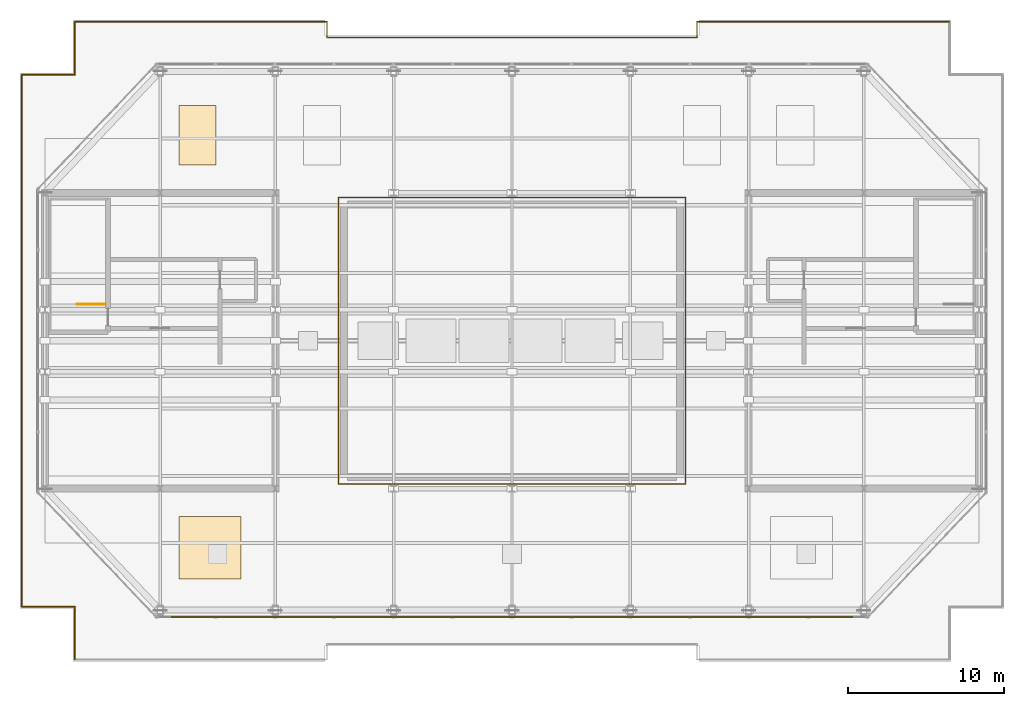
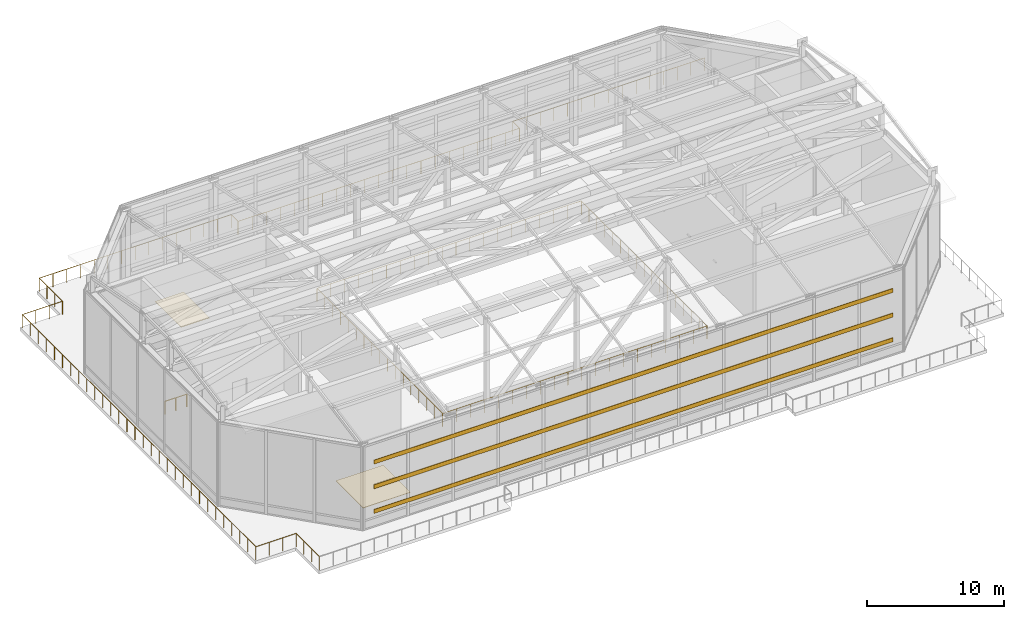
# One storey, part 24 of 25: 4 railings, 3 shading devices, 2 coverings.
"""IFC4 building model written with IfcOpenShell, lengths in metres."""

from ifc_helpers import new_model, si_unit, direction, frame, origin, origin_2d, place, context, subcontext, project, spatial, polyline, rectangle, circle, outline, extrude, source, transform, mapped, material, layer, layer_set, material_profile, profile_set, type_object, type_shapes, element, save


model = new_model("IFC4")

# Units and contexts
model_context = context("Model", 3, precision=1e-05, world=origin(), true_north=direction((0.0, 1.0)))
body_context = subcontext(model_context, "Body", "Model", "MODEL_VIEW")
ifc_project = project(units=[si_unit("LENGTHUNIT", "METRE"), si_unit("AREAUNIT", "SQUARE_METRE"), si_unit("VOLUMEUNIT", "CUBIC_METRE"), si_unit("PLANEANGLEUNIT", "RADIAN"), si_unit("MASSUNIT", "GRAM", prefix="KILO")], contexts=[model_context])

# Site, building, storey
site_placement = place(None, origin())
site = spatial("IfcSite", under=ifc_project, at=site_placement, CompositionType="ELEMENT")
building_placement = place(site_placement, origin())
building = spatial("IfcBuilding", under=site, at=building_placement, Name="Haelvirn Gate Laboratories", CompositionType="ELEMENT")
storey_placement = place(building_placement, frame((0.0, 0.0, 337.800048828125)))
storey = spatial("IfcBuildingStorey", under=building, at=storey_placement, Name="RF", CompositionType="ELEMENT", Elevation=337.800048828125)

# Coverings
ifc_material_1 = material(Name="Standing-seam bronze-patinated zinc & TPO roofing membrane", Category="aluminium")
ifc_layer = layer(ifc_material_1, 0.034912109375, Name="COV-ROOF-MEM")
ifc_layer_set = layer_set([ifc_layer], Name="Standing-seam bronze-patinated zinc & TPO roofing membrane")
covering_type = type_object("IfcCoveringType", Name="COV-ROOF-MEM", PredefinedType="ROOFING", material=ifc_layer_set)
covering_1_placement = place(storey_placement, origin())
element("IfcCovering", 1, at=covering_1_placement, inside=storey, type_object=covering_type, Name="RF Standing-Seam Bronze Roofing Panel 1", PredefinedType="ROOFING", context=body_context, shape_type="SweptSolid", body=[
    extrude(outline(polyline([(16.0, 35.60009765625), (18.39990234375, 35.60009765625), (18.39990234375, 39.39990234375), (16.0, 39.39990234375), (16.0, 35.60009765625)])), origin(), (0.0, 0.0, 1.0), 0.034912109375),
])
covering_2_placement = place(storey_placement, origin())
element("IfcCovering", 2, at=covering_2_placement, inside=storey, type_object=covering_type, Name="RF Crown Deck Waterproof Membrane 1", PredefinedType="ROOFING", context=body_context, shape_type="SweptSolid", body=[
    extrude(outline(polyline([(16.0, 9.0), (20.0, 9.0), (20.0, 13.0), (16.0, 13.0), (16.0, 9.0)])), origin(), (0.0, 0.0, 1.0), 0.034912109375),
])

# Railing
ifc_material_2 = material(Name="Galvanised & bronze-coated steel SM355", Category="steel")
railing_type_1 = type_object("IfcRailingType", Name="RLG-ROOF-1200", PredefinedType="GUARDRAIL", material=ifc_material_2)
shared_shape_1 = source(origin(), body_context, "Body", "SweptSolid", [
    extrude(circle(Radius=0.02392578125, at=origin_2d()), frame((0.0, 0.0, 1.17578125), z_axis=(-1.0, 0.0, 0.0), x_axis=(0.0, -1.0, 0.0)), (0.0, 0.0, 1.0), 16.199951171875),
    extrude(circle(Radius=0.02392578125, at=origin_2d()), frame((-16.199951171875, 0.0, 1.17578125), z_axis=(0.0, -1.0, 0.0), x_axis=(1.0, 0.0, 0.0)), (0.0, 0.0, 1.0), 1.0),
    extrude(circle(Radius=0.02392578125, at=origin_2d()), frame((-16.199951171875, -1.0, 1.17578125), z_axis=(-1.0, 0.0, 0.0), x_axis=(0.0, -1.0, 0.0)), (0.0, 0.0, 1.0), 23.760009765625),
    extrude(circle(Radius=0.02392578125, at=origin_2d()), frame((-39.9599609375, -1.0, 1.17578125), z_axis=(0.0, 1.0, 0.0), x_axis=(-1.0, 0.0, 0.0)), (0.0, 0.0, 1.0), 1.0),
    extrude(circle(Radius=0.02392578125, at=origin_2d()), frame((-39.9599609375, 0.0, 1.17578125), z_axis=(-1.0, 0.0, 0.0), x_axis=(0.0, -1.0, 0.0)), (0.0, 0.0, 1.0), 16.199951171875),
    extrude(circle(Radius=0.02392578125, at=origin_2d()), frame((-56.159912109375, 0.0, 1.17578125), z_axis=(0.0, -1.0, 0.0), x_axis=(1.0, 0.0, 0.0)), (0.0, 0.0, 1.0), 3.400146484375),
    extrude(circle(Radius=0.02392578125, at=origin_2d()), frame((-56.159912109375, -3.400146484375, 1.17578125), z_axis=(-1.0, 0.0, 0.0), x_axis=(0.0, -1.0, 0.0)), (0.0, 0.0, 1.0), 3.400146484375),
    extrude(circle(Radius=0.02392578125, at=origin_2d()), frame((-59.56005859375, -3.400146484375, 1.17578125), z_axis=(0.0, -1.0, 0.0), x_axis=(1.0, 0.0, 0.0)), (0.0, 0.0, 1.0), 34.159912109375),
    extrude(circle(Radius=0.02392578125, at=origin_2d()), frame((-59.56005859375, -37.56005859375, 1.17578125), z_axis=(1.0, 0.0, 0.0), x_axis=(0.0, 1.0, 0.0)), (0.0, 0.0, 1.0), 3.400146484375),
    extrude(circle(Radius=0.02392578125, at=origin_2d()), frame((-56.159912109375, -37.56005859375, 1.17578125), z_axis=(0.0, -1.0, 0.0), x_axis=(1.0, 0.0, 0.0)), (0.0, 0.0, 1.0), 3.39990234375),
    extrude(circle(Radius=0.02099609375, at=origin_2d()), origin(), (0.0, 0.0, 1.0), 1.15185546875),
    extrude(circle(Radius=0.02099609375, at=origin_2d()), frame((-1.1572265625, 0.0, 0.0)), (0.0, 0.0, 1.0), 1.15185546875),
    extrude(circle(Radius=0.02099609375, at=origin_2d()), frame((-2.314208984375, 0.0, 0.0)), (0.0, 0.0, 1.0), 1.15185546875),
    extrude(circle(Radius=0.02099609375, at=origin_2d()), frame((-3.471435546875, 0.0, 0.0)), (0.0, 0.0, 1.0), 1.15185546875),
    extrude(circle(Radius=0.02099609375, at=origin_2d()), frame((-4.628662109375, 0.0, 0.0)), (0.0, 0.0, 1.0), 1.15185546875),
    extrude(circle(Radius=0.02099609375, at=origin_2d()), frame((-5.78564453125, 0.0, 0.0)), (0.0, 0.0, 1.0), 1.15185546875),
    extrude(circle(Radius=0.02099609375, at=origin_2d()), frame((-6.94287109375, 0.0, 0.0)), (0.0, 0.0, 1.0), 1.15185546875),
    extrude(circle(Radius=0.02099609375, at=origin_2d()), frame((-8.10009765625, 0.0, 0.0)), (0.0, 0.0, 1.0), 1.15185546875),
    extrude(circle(Radius=0.02099609375, at=origin_2d()), frame((-9.257080078125, 0.0, 0.0)), (0.0, 0.0, 1.0), 1.15185546875),
    extrude(circle(Radius=0.02099609375, at=origin_2d()), frame((-10.414306640625, 0.0, 0.0)), (0.0, 0.0, 1.0), 1.15185546875),
    extrude(circle(Radius=0.02099609375, at=origin_2d()), frame((-11.5712890625, 0.0, 0.0)), (0.0, 0.0, 1.0), 1.15185546875),
    extrude(circle(Radius=0.02099609375, at=origin_2d()), frame((-12.728515625, 0.0, 0.0)), (0.0, 0.0, 1.0), 1.15185546875),
    extrude(circle(Radius=0.02099609375, at=origin_2d()), frame((-13.8857421875, 0.0, 0.0)), (0.0, 0.0, 1.0), 1.15185546875),
    extrude(circle(Radius=0.02099609375, at=origin_2d()), frame((-15.042724609375, 0.0, 0.0)), (0.0, 0.0, 1.0), 1.15185546875),
    extrude(circle(Radius=0.02099609375, at=origin_2d()), frame((-16.199951171875, 0.0, 0.0)), (0.0, 0.0, 1.0), 1.15185546875),
    extrude(circle(Radius=0.02099609375, at=origin_2d()), frame((-16.199951171875, -1.0, 0.0)), (0.0, 0.0, 1.0), 1.15185546875),
    extrude(circle(Radius=0.02099609375, at=origin_2d()), frame((-17.387939453125, -1.0, 0.0)), (0.0, 0.0, 1.0), 1.15185546875),
    extrude(circle(Radius=0.02099609375, at=origin_2d()), frame((-18.575927734375, -1.0, 0.0)), (0.0, 0.0, 1.0), 1.15185546875),
    extrude(circle(Radius=0.02099609375, at=origin_2d()), frame((-19.763916015625, -1.0, 0.0)), (0.0, 0.0, 1.0), 1.15185546875),
    extrude(circle(Radius=0.02099609375, at=origin_2d()), frame((-20.951904296875, -1.0, 0.0)), (0.0, 0.0, 1.0), 1.15185546875),
    extrude(circle(Radius=0.02099609375, at=origin_2d()), frame((-22.139892578125, -1.0, 0.0)), (0.0, 0.0, 1.0), 1.15185546875),
    extrude(circle(Radius=0.02099609375, at=origin_2d()), frame((-23.327880859375, -1.0, 0.0)), (0.0, 0.0, 1.0), 1.15185546875),
    extrude(circle(Radius=0.02099609375, at=origin_2d()), frame((-24.515869140625, -1.0, 0.0)), (0.0, 0.0, 1.0), 1.15185546875),
    extrude(circle(Radius=0.02099609375, at=origin_2d()), frame((-25.703857421875, -1.0, 0.0)), (0.0, 0.0, 1.0), 1.15185546875),
    extrude(circle(Radius=0.02099609375, at=origin_2d()), frame((-26.891845703125, -1.0, 0.0)), (0.0, 0.0, 1.0), 1.15185546875),
    extrude(circle(Radius=0.02099609375, at=origin_2d()), frame((-28.080078125, -1.0, 0.0)), (0.0, 0.0, 1.0), 1.15185546875),
    extrude(circle(Radius=0.02099609375, at=origin_2d()), frame((-29.26806640625, -1.0, 0.0)), (0.0, 0.0, 1.0), 1.15185546875),
    extrude(circle(Radius=0.02099609375, at=origin_2d()), frame((-30.4560546875, -1.0, 0.0)), (0.0, 0.0, 1.0), 1.15185546875),
    extrude(circle(Radius=0.02099609375, at=origin_2d()), frame((-31.64404296875, -1.0, 0.0)), (0.0, 0.0, 1.0), 1.15185546875),
    extrude(circle(Radius=0.02099609375, at=origin_2d()), frame((-32.83203125, -1.0, 0.0)), (0.0, 0.0, 1.0), 1.15185546875),
    extrude(circle(Radius=0.02099609375, at=origin_2d()), frame((-34.02001953125, -1.0, 0.0)), (0.0, 0.0, 1.0), 1.15185546875),
    extrude(circle(Radius=0.02099609375, at=origin_2d()), frame((-35.2080078125, -1.0, 0.0)), (0.0, 0.0, 1.0), 1.15185546875),
    extrude(circle(Radius=0.02099609375, at=origin_2d()), frame((-36.39599609375, -1.0, 0.0)), (0.0, 0.0, 1.0), 1.15185546875),
    extrude(circle(Radius=0.02099609375, at=origin_2d()), frame((-37.583984375, -1.0, 0.0)), (0.0, 0.0, 1.0), 1.15185546875),
    extrude(circle(Radius=0.02099609375, at=origin_2d()), frame((-38.77197265625, -1.0, 0.0)), (0.0, 0.0, 1.0), 1.15185546875),
    extrude(circle(Radius=0.02099609375, at=origin_2d()), frame((-39.9599609375, -1.0, 0.0)), (0.0, 0.0, 1.0), 1.15185546875),
    extrude(circle(Radius=0.02099609375, at=origin_2d()), frame((-39.9599609375, 0.0, 0.0)), (0.0, 0.0, 1.0), 1.15185546875),
    extrude(circle(Radius=0.02099609375, at=origin_2d()), frame((-41.1171875, 0.0, 0.0)), (0.0, 0.0, 1.0), 1.15185546875),
    extrude(circle(Radius=0.02099609375, at=origin_2d()), frame((-42.274169921875, 0.0, 0.0)), (0.0, 0.0, 1.0), 1.15185546875),
    extrude(circle(Radius=0.02099609375, at=origin_2d()), frame((-43.431396484375, 0.0, 0.0)), (0.0, 0.0, 1.0), 1.15185546875),
    extrude(circle(Radius=0.02099609375, at=origin_2d()), frame((-44.588623046875, 0.0, 0.0)), (0.0, 0.0, 1.0), 1.15185546875),
    extrude(circle(Radius=0.02099609375, at=origin_2d()), frame((-45.74560546875, 0.0, 0.0)), (0.0, 0.0, 1.0), 1.15185546875),
    extrude(circle(Radius=0.02099609375, at=origin_2d()), frame((-46.90283203125, 0.0, 0.0)), (0.0, 0.0, 1.0), 1.15185546875),
    extrude(circle(Radius=0.02099609375, at=origin_2d()), frame((-48.06005859375, 0.0, 0.0)), (0.0, 0.0, 1.0), 1.15185546875),
    extrude(circle(Radius=0.02099609375, at=origin_2d()), frame((-49.217041015625, 0.0, 0.0)), (0.0, 0.0, 1.0), 1.15185546875),
    extrude(circle(Radius=0.02099609375, at=origin_2d()), frame((-50.374267578125, 0.0, 0.0)), (0.0, 0.0, 1.0), 1.15185546875),
    extrude(circle(Radius=0.02099609375, at=origin_2d()), frame((-51.53125, 0.0, 0.0)), (0.0, 0.0, 1.0), 1.15185546875),
    extrude(circle(Radius=0.02099609375, at=origin_2d()), frame((-52.6884765625, 0.0, 0.0)), (0.0, 0.0, 1.0), 1.15185546875),
    extrude(circle(Radius=0.02099609375, at=origin_2d()), frame((-53.845703125, 0.0, 0.0)), (0.0, 0.0, 1.0), 1.15185546875),
    extrude(circle(Radius=0.02099609375, at=origin_2d()), frame((-55.002685546875, 0.0, 0.0)), (0.0, 0.0, 1.0), 1.15185546875),
    extrude(circle(Radius=0.02099609375, at=origin_2d()), frame((-56.159912109375, 0.0, 0.0)), (0.0, 0.0, 1.0), 1.15185546875),
    extrude(circle(Radius=0.02099609375, at=origin_2d()), frame((-56.159912109375, -1.13330078125, 0.0)), (0.0, 0.0, 1.0), 1.15185546875),
    extrude(circle(Radius=0.02099609375, at=origin_2d()), frame((-56.159912109375, -2.266845703125, 0.0)), (0.0, 0.0, 1.0), 1.15185546875),
    extrude(circle(Radius=0.02099609375, at=origin_2d()), frame((-56.159912109375, -3.400146484375, 0.0)), (0.0, 0.0, 1.0), 1.15185546875),
    extrude(circle(Radius=0.02099609375, at=origin_2d()), frame((-57.293212890625, -3.400146484375, 0.0)), (0.0, 0.0, 1.0), 1.15185546875),
    extrude(circle(Radius=0.02099609375, at=origin_2d()), frame((-58.4267578125, -3.400146484375, 0.0)), (0.0, 0.0, 1.0), 1.15185546875),
    extrude(circle(Radius=0.02099609375, at=origin_2d()), frame((-59.56005859375, -3.400146484375, 0.0)), (0.0, 0.0, 1.0), 1.15185546875),
    extrude(circle(Radius=0.02099609375, at=origin_2d()), frame((-59.56005859375, -4.578125, 0.0)), (0.0, 0.0, 1.0), 1.15185546875),
    extrude(circle(Radius=0.02099609375, at=origin_2d()), frame((-59.56005859375, -5.756103515625, 0.0)), (0.0, 0.0, 1.0), 1.15185546875),
    extrude(circle(Radius=0.02099609375, at=origin_2d()), frame((-59.56005859375, -6.933837890625, 0.0)), (0.0, 0.0, 1.0), 1.15185546875),
    extrude(circle(Radius=0.02099609375, at=origin_2d()), frame((-59.56005859375, -8.11181640625, 0.0)), (0.0, 0.0, 1.0), 1.15185546875),
    extrude(circle(Radius=0.02099609375, at=origin_2d()), frame((-59.56005859375, -9.289794921875, 0.0)), (0.0, 0.0, 1.0), 1.15185546875),
    extrude(circle(Radius=0.02099609375, at=origin_2d()), frame((-59.56005859375, -10.4677734375, 0.0)), (0.0, 0.0, 1.0), 1.15185546875),
    extrude(circle(Radius=0.02099609375, at=origin_2d()), frame((-59.56005859375, -11.645751953125, 0.0)), (0.0, 0.0, 1.0), 1.15185546875),
    extrude(circle(Radius=0.02099609375, at=origin_2d()), frame((-59.56005859375, -12.823486328125, 0.0)), (0.0, 0.0, 1.0), 1.15185546875),
    extrude(circle(Radius=0.02099609375, at=origin_2d()), frame((-59.56005859375, -14.00146484375, 0.0)), (0.0, 0.0, 1.0), 1.15185546875),
    extrude(circle(Radius=0.02099609375, at=origin_2d()), frame((-59.56005859375, -15.179443359375, 0.0)), (0.0, 0.0, 1.0), 1.15185546875),
    extrude(circle(Radius=0.02099609375, at=origin_2d()), frame((-59.56005859375, -16.357421875, 0.0)), (0.0, 0.0, 1.0), 1.15185546875),
    extrude(circle(Radius=0.02099609375, at=origin_2d()), frame((-59.56005859375, -17.535400390625, 0.0)), (0.0, 0.0, 1.0), 1.15185546875),
    extrude(circle(Radius=0.02099609375, at=origin_2d()), frame((-59.56005859375, -18.713134765625, 0.0)), (0.0, 0.0, 1.0), 1.15185546875),
    extrude(circle(Radius=0.02099609375, at=origin_2d()), frame((-59.56005859375, -19.89111328125, 0.0)), (0.0, 0.0, 1.0), 1.15185546875),
    extrude(circle(Radius=0.02099609375, at=origin_2d()), frame((-59.56005859375, -21.069091796875, 0.0)), (0.0, 0.0, 1.0), 1.15185546875),
    extrude(circle(Radius=0.02099609375, at=origin_2d()), frame((-59.56005859375, -22.2470703125, 0.0)), (0.0, 0.0, 1.0), 1.15185546875),
    extrude(circle(Radius=0.02099609375, at=origin_2d()), frame((-59.56005859375, -23.4248046875, 0.0)), (0.0, 0.0, 1.0), 1.15185546875),
    extrude(circle(Radius=0.02099609375, at=origin_2d()), frame((-59.56005859375, -24.602783203125, 0.0)), (0.0, 0.0, 1.0), 1.15185546875),
    extrude(circle(Radius=0.02099609375, at=origin_2d()), frame((-59.56005859375, -25.78076171875, 0.0)), (0.0, 0.0, 1.0), 1.15185546875),
    extrude(circle(Radius=0.02099609375, at=origin_2d()), frame((-59.56005859375, -26.958740234375, 0.0)), (0.0, 0.0, 1.0), 1.15185546875),
    extrude(circle(Radius=0.02099609375, at=origin_2d()), frame((-59.56005859375, -28.13671875, 0.0)), (0.0, 0.0, 1.0), 1.15185546875),
    extrude(circle(Radius=0.02099609375, at=origin_2d()), frame((-59.56005859375, -29.314453125, 0.0)), (0.0, 0.0, 1.0), 1.15185546875),
    extrude(circle(Radius=0.02099609375, at=origin_2d()), frame((-59.56005859375, -30.492431640625, 0.0)), (0.0, 0.0, 1.0), 1.15185546875),
    extrude(circle(Radius=0.02099609375, at=origin_2d()), frame((-59.56005859375, -31.67041015625, 0.0)), (0.0, 0.0, 1.0), 1.15185546875),
    extrude(circle(Radius=0.02099609375, at=origin_2d()), frame((-59.56005859375, -32.848388671875, 0.0)), (0.0, 0.0, 1.0), 1.15185546875),
    extrude(circle(Radius=0.02099609375, at=origin_2d()), frame((-59.56005859375, -34.0263671875, 0.0)), (0.0, 0.0, 1.0), 1.15185546875),
    extrude(circle(Radius=0.02099609375, at=origin_2d()), frame((-59.56005859375, -35.2041015625, 0.0)), (0.0, 0.0, 1.0), 1.15185546875),
    extrude(circle(Radius=0.02099609375, at=origin_2d()), frame((-59.56005859375, -36.382080078125, 0.0)), (0.0, 0.0, 1.0), 1.15185546875),
    extrude(circle(Radius=0.02099609375, at=origin_2d()), frame((-59.56005859375, -37.56005859375, 0.0)), (0.0, 0.0, 1.0), 1.15185546875),
    extrude(circle(Radius=0.02099609375, at=origin_2d()), frame((-58.4267578125, -37.56005859375, 0.0)), (0.0, 0.0, 1.0), 1.15185546875),
    extrude(circle(Radius=0.02099609375, at=origin_2d()), frame((-57.293212890625, -37.56005859375, 0.0)), (0.0, 0.0, 1.0), 1.15185546875),
    extrude(circle(Radius=0.02099609375, at=origin_2d()), frame((-56.159912109375, -37.56005859375, 0.0)), (0.0, 0.0, 1.0), 1.15185546875),
    extrude(circle(Radius=0.02099609375, at=origin_2d()), frame((-56.159912109375, -38.693359375, 0.0)), (0.0, 0.0, 1.0), 1.15185546875),
    extrude(circle(Radius=0.02099609375, at=origin_2d()), frame((-56.159912109375, -39.82666015625, 0.0)), (0.0, 0.0, 1.0), 1.15185546875),
    extrude(circle(Radius=0.02099609375, at=origin_2d()), frame((-56.159912109375, -40.9599609375, 0.0)), (0.0, 0.0, 1.0), 1.15185546875),
])
railing_1_placement = place(storey_placement, frame((65.47998046875, 44.780029296875, 0.0)))
element("IfcRailing", 3, at=railing_1_placement, inside=storey, type_object=railing_type_1, Name="RF Crown Maintenance Deck Perimeter Guardrail B", PredefinedType="GUARDRAIL", context=body_context, shape_type="MappedRepresentation", body=[
    mapped(shared_shape_1, transform((0.0, 0.0, 0.0), scale=1.0)),
])

# Shading devices
ifc_material_3 = material(Name="Extruded aluminium 6063-T6 (anodised bronze)", Category="aluminium")
ifc_material_profile = material_profile(ifc_material_3, rectangle(XDim=0.080078125, YDim=0.360107421875, at=origin_2d()), Name="LOUV-360x80")
ifc_profile_set = profile_set([ifc_material_profile], Name="Extruded aluminium 6063-T6 (anodised bronze)")
shading_device_type = type_object("IfcShadingDeviceType", Name="SHD-LOUV-360", PredefinedType="USERDEFINED", material=ifc_profile_set)
shared_shape_2 = source(origin(), body_context, "Body", "SweptSolid", [
    extrude(rectangle(XDim=0.080078125, YDim=0.360107421875, at=origin_2d()), origin(), (0.0, 0.0, 1.0), 43.800048828125),
])
type_shapes(shading_device_type, [shared_shape_2])
for number, where, z_axis, x_axis, name in (
    (4, (15.5, 6.550048828125, 1.39990234375), (1.0, 0.0, 0.0), (0.0, 1.0, 0.0), "RF Crown South Acoustic Louvre 1"),
    (5, (15.5, 6.550048828125, 3.599853515625), (1.0, 0.0, 0.0), (0.0, 1.0, 0.0), "RF Crown South Acoustic Louvre 2"),
    (6, (15.5, 6.550048828125, 5.800048828125), (1.0, 0.0, 0.0), (0.0, 1.0, 0.0), "RF Crown South Acoustic Louvre 3"),
):
    element("IfcShadingDevice", number, at=place(storey_placement, frame(where, z_axis=z_axis, x_axis=x_axis)), inside=storey, type_object=shading_device_type, Name=name, ObjectType="LOUVRE", PredefinedType="USERDEFINED", context=body_context, shape_type="MappedRepresentation", body=[
        mapped(shared_shape_2, transform((0.0, 0.0, 0.0), scale=1.0)),
    ])

# Railings
shared_shape_3 = source(origin(), body_context, "Body", "SweptSolid", [
    extrude(circle(Radius=0.02392578125, at=origin_2d()), frame((0.0, 0.0, 1.17578125), z_axis=(1.0, 0.0, 0.0), x_axis=(0.0, 1.0, 0.0)), (0.0, 0.0, 1.0), 22.300048828125),
    extrude(circle(Radius=0.02392578125, at=origin_2d()), frame((22.300048828125, 0.0, 1.17578125), z_axis=(0.0, 1.0, 0.0), x_axis=(-1.0, 0.0, 0.0)), (0.0, 0.0, 1.0), 18.39990234375),
    extrude(circle(Radius=0.02099609375, at=origin_2d()), origin(), (0.0, 0.0, 1.0), 1.15185546875),
    extrude(circle(Radius=0.02099609375, at=origin_2d()), frame((1.173583984375, 0.0, 0.0)), (0.0, 0.0, 1.0), 1.15185546875),
    extrude(circle(Radius=0.02099609375, at=origin_2d()), frame((2.347412109375, 0.0, 0.0)), (0.0, 0.0, 1.0), 1.15185546875),
    extrude(circle(Radius=0.02099609375, at=origin_2d()), frame((3.52099609375, 0.0, 0.0)), (0.0, 0.0, 1.0), 1.15185546875),
    extrude(circle(Radius=0.02099609375, at=origin_2d()), frame((4.69482421875, 0.0, 0.0)), (0.0, 0.0, 1.0), 1.15185546875),
    extrude(circle(Radius=0.02099609375, at=origin_2d()), frame((5.868408203125, 0.0, 0.0)), (0.0, 0.0, 1.0), 1.15185546875),
    extrude(circle(Radius=0.02099609375, at=origin_2d()), frame((7.042236328125, 0.0, 0.0)), (0.0, 0.0, 1.0), 1.15185546875),
    extrude(circle(Radius=0.02099609375, at=origin_2d()), frame((8.2158203125, 0.0, 0.0)), (0.0, 0.0, 1.0), 1.15185546875),
    extrude(circle(Radius=0.02099609375, at=origin_2d()), frame((9.389404296875, 0.0, 0.0)), (0.0, 0.0, 1.0), 1.15185546875),
    extrude(circle(Radius=0.02099609375, at=origin_2d()), frame((10.563232421875, 0.0, 0.0)), (0.0, 0.0, 1.0), 1.15185546875),
    extrude(circle(Radius=0.02099609375, at=origin_2d()), frame((11.73681640625, 0.0, 0.0)), (0.0, 0.0, 1.0), 1.15185546875),
    extrude(circle(Radius=0.02099609375, at=origin_2d()), frame((12.91064453125, 0.0, 0.0)), (0.0, 0.0, 1.0), 1.15185546875),
    extrude(circle(Radius=0.02099609375, at=origin_2d()), frame((14.084228515625, 0.0, 0.0)), (0.0, 0.0, 1.0), 1.15185546875),
    extrude(circle(Radius=0.02099609375, at=origin_2d()), frame((15.2578125, 0.0, 0.0)), (0.0, 0.0, 1.0), 1.15185546875),
    extrude(circle(Radius=0.02099609375, at=origin_2d()), frame((16.431640625, 0.0, 0.0)), (0.0, 0.0, 1.0), 1.15185546875),
    extrude(circle(Radius=0.02099609375, at=origin_2d()), frame((17.605224609375, 0.0, 0.0)), (0.0, 0.0, 1.0), 1.15185546875),
    extrude(circle(Radius=0.02099609375, at=origin_2d()), frame((18.779052734375, 0.0, 0.0)), (0.0, 0.0, 1.0), 1.15185546875),
    extrude(circle(Radius=0.02099609375, at=origin_2d()), frame((19.95263671875, 0.0, 0.0)), (0.0, 0.0, 1.0), 1.15185546875),
    extrude(circle(Radius=0.02099609375, at=origin_2d()), frame((21.12646484375, 0.0, 0.0)), (0.0, 0.0, 1.0), 1.15185546875),
    extrude(circle(Radius=0.02099609375, at=origin_2d()), frame((22.300048828125, 0.0, 0.0)), (0.0, 0.0, 1.0), 1.15185546875),
    extrude(circle(Radius=0.02099609375, at=origin_2d()), frame((22.300048828125, 1.14990234375, 0.0)), (0.0, 0.0, 1.0), 1.15185546875),
    extrude(circle(Radius=0.02099609375, at=origin_2d()), frame((22.300048828125, 2.300048828125, 0.0)), (0.0, 0.0, 1.0), 1.15185546875),
    extrude(circle(Radius=0.02099609375, at=origin_2d()), frame((22.300048828125, 3.449951171875, 0.0)), (0.0, 0.0, 1.0), 1.15185546875),
    extrude(circle(Radius=0.02099609375, at=origin_2d()), frame((22.300048828125, 4.60009765625, 0.0)), (0.0, 0.0, 1.0), 1.15185546875),
    extrude(circle(Radius=0.02099609375, at=origin_2d()), frame((22.300048828125, 5.75, 0.0)), (0.0, 0.0, 1.0), 1.15185546875),
    extrude(circle(Radius=0.02099609375, at=origin_2d()), frame((22.300048828125, 6.89990234375, 0.0)), (0.0, 0.0, 1.0), 1.15185546875),
    extrude(circle(Radius=0.02099609375, at=origin_2d()), frame((22.300048828125, 8.050048828125, 0.0)), (0.0, 0.0, 1.0), 1.15185546875),
    extrude(circle(Radius=0.02099609375, at=origin_2d()), frame((22.300048828125, 9.199951171875, 0.0)), (0.0, 0.0, 1.0), 1.15185546875),
    extrude(circle(Radius=0.02099609375, at=origin_2d()), frame((22.300048828125, 10.349853515625, 0.0)), (0.0, 0.0, 1.0), 1.15185546875),
    extrude(circle(Radius=0.02099609375, at=origin_2d()), frame((22.300048828125, 11.5, 0.0)), (0.0, 0.0, 1.0), 1.15185546875),
    extrude(circle(Radius=0.02099609375, at=origin_2d()), frame((22.300048828125, 12.64990234375, 0.0)), (0.0, 0.0, 1.0), 1.15185546875),
    extrude(circle(Radius=0.02099609375, at=origin_2d()), frame((22.300048828125, 13.7998046875, 0.0)), (0.0, 0.0, 1.0), 1.15185546875),
    extrude(circle(Radius=0.02099609375, at=origin_2d()), frame((22.300048828125, 14.949951171875, 0.0)), (0.0, 0.0, 1.0), 1.15185546875),
    extrude(circle(Radius=0.02099609375, at=origin_2d()), frame((22.300048828125, 16.099853515625, 0.0)), (0.0, 0.0, 1.0), 1.15185546875),
    extrude(circle(Radius=0.02099609375, at=origin_2d()), frame((22.300048828125, 17.25, 0.0)), (0.0, 0.0, 1.0), 1.15185546875),
    extrude(circle(Radius=0.02099609375, at=origin_2d()), frame((22.300048828125, 18.39990234375, 0.0)), (0.0, 0.0, 1.0), 1.15185546875),
])
railing_2_placement = place(storey_placement, frame((26.25, 15.10009765625, 0.0)))
element("IfcRailing", 7, at=railing_2_placement, inside=storey, type_object=railing_type_1, Name="RF Atrium Void Maintenance Guardrail A", PredefinedType="GUARDRAIL", context=body_context, shape_type="MappedRepresentation", body=[
    mapped(shared_shape_3, transform((0.0, 0.0, 0.0), scale=1.0)),
])
shared_shape_4 = source(origin(), body_context, "Body", "SweptSolid", [
    extrude(circle(Radius=0.02392578125, at=origin_2d()), frame((0.0, 0.0, 1.17578125), z_axis=(0.0, 1.0, 0.0), x_axis=(-1.0, 0.0, 0.0)), (0.0, 0.0, 1.0), 0.080078125),
    extrude(circle(Radius=0.02392578125, at=origin_2d()), frame((0.0, 0.080078125, 1.17578125), z_axis=(-1.0, 0.0, 0.0), x_axis=(0.0, -1.0, 0.0)), (0.0, 0.0, 1.0), 22.300048828125),
    extrude(circle(Radius=0.02392578125, at=origin_2d()), frame((-22.300048828125, 0.080078125, 1.17578125), z_axis=(0.0, -1.0, 0.0), x_axis=(1.0, 0.0, 0.0)), (0.0, 0.0, 1.0), 18.320068359375),
    extrude(circle(Radius=0.02099609375, at=origin_2d()), origin(), (0.0, 0.0, 1.0), 1.15185546875),
    extrude(circle(Radius=0.02099609375, at=origin_2d()), frame((-1.173583984375, 0.080078125, 0.0)), (0.0, 0.0, 1.0), 1.15185546875),
    extrude(circle(Radius=0.02099609375, at=origin_2d()), frame((-2.347412109375, 0.080078125, 0.0)), (0.0, 0.0, 1.0), 1.15185546875),
    extrude(circle(Radius=0.02099609375, at=origin_2d()), frame((-3.52099609375, 0.080078125, 0.0)), (0.0, 0.0, 1.0), 1.15185546875),
    extrude(circle(Radius=0.02099609375, at=origin_2d()), frame((-4.69482421875, 0.080078125, 0.0)), (0.0, 0.0, 1.0), 1.15185546875),
    extrude(circle(Radius=0.02099609375, at=origin_2d()), frame((-5.868408203125, 0.080078125, 0.0)), (0.0, 0.0, 1.0), 1.15185546875),
    extrude(circle(Radius=0.02099609375, at=origin_2d()), frame((-7.042236328125, 0.080078125, 0.0)), (0.0, 0.0, 1.0), 1.15185546875),
    extrude(circle(Radius=0.02099609375, at=origin_2d()), frame((-8.2158203125, 0.080078125, 0.0)), (0.0, 0.0, 1.0), 1.15185546875),
    extrude(circle(Radius=0.02099609375, at=origin_2d()), frame((-9.389404296875, 0.080078125, 0.0)), (0.0, 0.0, 1.0), 1.15185546875),
    extrude(circle(Radius=0.02099609375, at=origin_2d()), frame((-10.563232421875, 0.080078125, 0.0)), (0.0, 0.0, 1.0), 1.15185546875),
    extrude(circle(Radius=0.02099609375, at=origin_2d()), frame((-11.73681640625, 0.080078125, 0.0)), (0.0, 0.0, 1.0), 1.15185546875),
    extrude(circle(Radius=0.02099609375, at=origin_2d()), frame((-12.91064453125, 0.080078125, 0.0)), (0.0, 0.0, 1.0), 1.15185546875),
    extrude(circle(Radius=0.02099609375, at=origin_2d()), frame((-14.084228515625, 0.080078125, 0.0)), (0.0, 0.0, 1.0), 1.15185546875),
    extrude(circle(Radius=0.02099609375, at=origin_2d()), frame((-15.2578125, 0.080078125, 0.0)), (0.0, 0.0, 1.0), 1.15185546875),
    extrude(circle(Radius=0.02099609375, at=origin_2d()), frame((-16.431640625, 0.080078125, 0.0)), (0.0, 0.0, 1.0), 1.15185546875),
    extrude(circle(Radius=0.02099609375, at=origin_2d()), frame((-17.605224609375, 0.080078125, 0.0)), (0.0, 0.0, 1.0), 1.15185546875),
    extrude(circle(Radius=0.02099609375, at=origin_2d()), frame((-18.779052734375, 0.080078125, 0.0)), (0.0, 0.0, 1.0), 1.15185546875),
    extrude(circle(Radius=0.02099609375, at=origin_2d()), frame((-19.95263671875, 0.080078125, 0.0)), (0.0, 0.0, 1.0), 1.15185546875),
    extrude(circle(Radius=0.02099609375, at=origin_2d()), frame((-21.12646484375, 0.080078125, 0.0)), (0.0, 0.0, 1.0), 1.15185546875),
    extrude(circle(Radius=0.02099609375, at=origin_2d()), frame((-22.300048828125, 0.080078125, 0.0)), (0.0, 0.0, 1.0), 1.15185546875),
    extrude(circle(Radius=0.02099609375, at=origin_2d()), frame((-22.300048828125, -1.06494140625, 0.0)), (0.0, 0.0, 1.0), 1.15185546875),
    extrude(circle(Radius=0.02099609375, at=origin_2d()), frame((-22.300048828125, -2.2099609375, 0.0)), (0.0, 0.0, 1.0), 1.15185546875),
    extrude(circle(Radius=0.02099609375, at=origin_2d()), frame((-22.300048828125, -3.35498046875, 0.0)), (0.0, 0.0, 1.0), 1.15185546875),
    extrude(circle(Radius=0.02099609375, at=origin_2d()), frame((-22.300048828125, -4.5, 0.0)), (0.0, 0.0, 1.0), 1.15185546875),
    extrude(circle(Radius=0.02099609375, at=origin_2d()), frame((-22.300048828125, -5.64501953125, 0.0)), (0.0, 0.0, 1.0), 1.15185546875),
    extrude(circle(Radius=0.02099609375, at=origin_2d()), frame((-22.300048828125, -6.7900390625, 0.0)), (0.0, 0.0, 1.0), 1.15185546875),
    extrude(circle(Radius=0.02099609375, at=origin_2d()), frame((-22.300048828125, -7.93505859375, 0.0)), (0.0, 0.0, 1.0), 1.15185546875),
    extrude(circle(Radius=0.02099609375, at=origin_2d()), frame((-22.300048828125, -9.080078125, 0.0)), (0.0, 0.0, 1.0), 1.15185546875),
    extrude(circle(Radius=0.02099609375, at=origin_2d()), frame((-22.300048828125, -10.224853515625, 0.0)), (0.0, 0.0, 1.0), 1.15185546875),
    extrude(circle(Radius=0.02099609375, at=origin_2d()), frame((-22.300048828125, -11.369873046875, 0.0)), (0.0, 0.0, 1.0), 1.15185546875),
    extrude(circle(Radius=0.02099609375, at=origin_2d()), frame((-22.300048828125, -12.514892578125, 0.0)), (0.0, 0.0, 1.0), 1.15185546875),
    extrude(circle(Radius=0.02099609375, at=origin_2d()), frame((-22.300048828125, -13.659912109375, 0.0)), (0.0, 0.0, 1.0), 1.15185546875),
    extrude(circle(Radius=0.02099609375, at=origin_2d()), frame((-22.300048828125, -14.804931640625, 0.0)), (0.0, 0.0, 1.0), 1.15185546875),
    extrude(circle(Radius=0.02099609375, at=origin_2d()), frame((-22.300048828125, -15.949951171875, 0.0)), (0.0, 0.0, 1.0), 1.15185546875),
    extrude(circle(Radius=0.02099609375, at=origin_2d()), frame((-22.300048828125, -17.094970703125, 0.0)), (0.0, 0.0, 1.0), 1.15185546875),
    extrude(circle(Radius=0.02099609375, at=origin_2d()), frame((-22.300048828125, -18.239990234375, 0.0)), (0.0, 0.0, 1.0), 1.15185546875),
])
type_shapes(railing_type_1, [shared_shape_1, shared_shape_3, shared_shape_4])
railing_3_placement = place(storey_placement, frame((48.550048828125, 33.419921875, 0.0)))
element("IfcRailing", 8, at=railing_3_placement, inside=storey, type_object=railing_type_1, Name="RF Atrium Void Maintenance Guardrail B", PredefinedType="GUARDRAIL", context=body_context, shape_type="MappedRepresentation", body=[
    mapped(shared_shape_4, transform((0.0, 0.0, 0.0), scale=1.0)),
])
ifc_material_4 = material(Name="Galvanised steel SM355 & stainless top rail", Category="steel")
railing_type_2 = type_object("IfcRailingType", Name="RL-GUARD-1150", PredefinedType="GUARDRAIL", material=ifc_material_4)
shared_shape_5 = source(origin(), body_context, "Body", "SweptSolid", [
    extrude(circle(Radius=0.02392578125, at=origin_2d()), frame((0.0, 0.0, 1.1259765625), z_axis=(-1.0, 0.0, 0.0), x_axis=(0.0, -1.0, 0.0)), (0.0, 0.0, 1.0), 1.85009765625),
    extrude(circle(Radius=0.02099609375, at=origin_2d()), origin(), (0.0, 0.0, 1.0), 1.101806640625),
    extrude(circle(Radius=0.02099609375, at=origin_2d()), frame((-0.925048828125, 0.0, 0.0)), (0.0, 0.0, 1.0), 1.101806640625),
    extrude(circle(Radius=0.02099609375, at=origin_2d()), frame((-1.85009765625, 0.0, 0.0)), (0.0, 0.0, 1.0), 1.101806640625),
])
type_shapes(railing_type_2, [shared_shape_5])
railing_4_placement = place(storey_placement, frame((11.300048828125, 26.64990234375, 0.0)))
element("IfcRailing", 9, at=railing_4_placement, inside=storey, type_object=railing_type_2, Name="RF ST1 top well guard 1", PredefinedType="GUARDRAIL", context=body_context, shape_type="MappedRepresentation", body=[
    mapped(shared_shape_5, transform((0.0, 0.0, 0.0), scale=1.0)),
])

save(model, "model.ifc")
